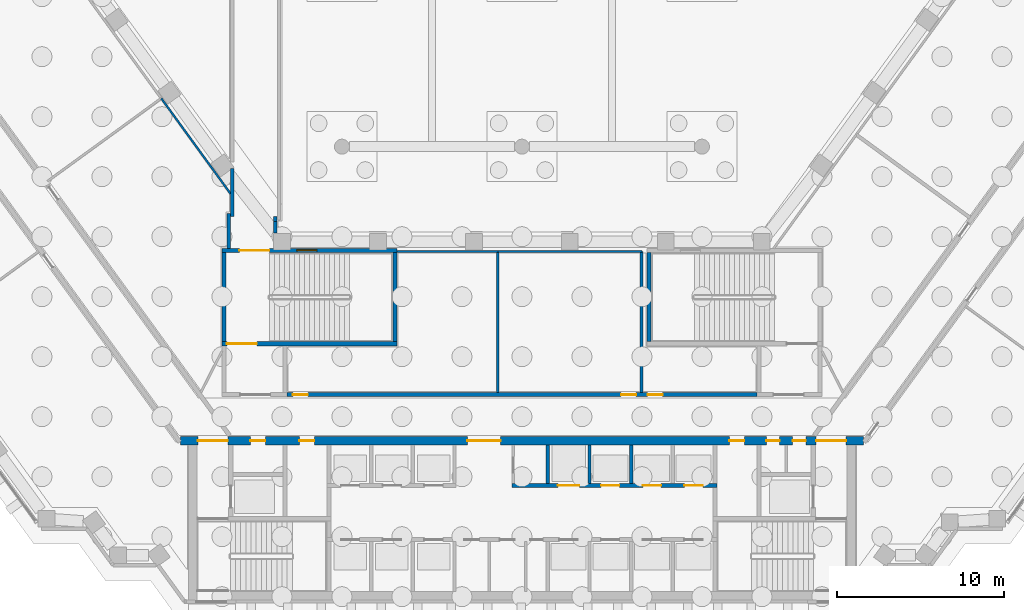
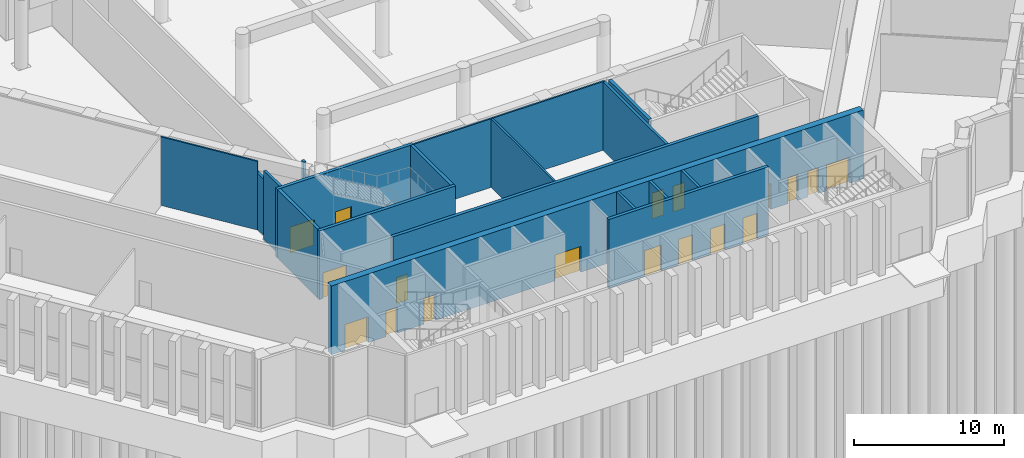
# One storey, part 18 of 32: 20 walls, 17 doors, 1 window, 18 openings.
"""IFC4 building model written with IfcOpenShell, lengths in metres."""

from ifc_helpers import new_model, si_unit, direction, frame, frame_2d, origin, place, context, subcontext, project, spatial, rectangle, extrude, material, layer, layer_set, type_object, element, fill, save


model = new_model("IFC4")

# Units and contexts
model_context = context("Model", 3, precision=1e-05, world=origin(), true_north=direction((0.0, 1.0)))
body_context = subcontext(model_context, "Body", "Model", "MODEL_VIEW")
ifc_project = project(units=[si_unit("LENGTHUNIT", "METRE"), si_unit("AREAUNIT", "SQUARE_METRE"), si_unit("VOLUMEUNIT", "CUBIC_METRE"), si_unit("PLANEANGLEUNIT", "RADIAN"), si_unit("MASSUNIT", "GRAM", prefix="KILO")], contexts=[model_context])

# Site, building, storey
site_placement = place(None, origin())
site = spatial("IfcSite", under=ifc_project, at=site_placement, CompositionType="ELEMENT")
building_placement = place(site_placement, origin())
building = spatial("IfcBuilding", under=site, at=building_placement, Name="Quipu Civic Tower", CompositionType="ELEMENT")
storey_placement = place(building_placement, origin())
storey = spatial("IfcBuildingStorey", under=building, at=storey_placement, Name="L00", CompositionType="ELEMENT", Elevation=0.0)

# Walls
ifc_material_1 = material(Name="Double gypsum plasterboard with mineral wool")
ifc_layer_1 = layer(ifc_material_1, 0.14990234375)
ifc_layer_set_1 = layer_set([ifc_layer_1], Name="Double gypsum plasterboard with mineral wool")
wall_type_1 = type_object("IfcWallType", Name="Acoustic partition 150 plasterboard", PredefinedType="PARTITIONING", material=ifc_layer_set_1)
wall_1_placement = place(storey_placement, frame((-1.458984375, 1.449951171875, 0.0), z_axis=(0.0, 0.0, 1.0), x_axis=(-0.000115570194, 0.999999993322, 0.0)))
element("IfcWall", 1, at=wall_1_placement, inside=storey, type_object=wall_type_1, Name="Partition P10", PredefinedType="PARTITIONING", context=body_context, shape_type="SweptSolid", body=[
    extrude(rectangle(XDim=8.449951171875, YDim=0.14990234375, at=frame_2d((4.22509765625, 0.0))), origin(), (0.0, 0.0, 1.0), 5.60009765625),
])
ifc_material_2 = material(Name="Fired clay blockwork", Category="masonry")
ifc_layer_2 = layer(ifc_material_2, 0.199951171875)
ifc_layer_set_2 = layer_set([ifc_layer_2], Name="Fired clay blockwork")
wall_type_2 = type_object("IfcWallType", Name="Blockwork wall 200", PredefinedType="SOLIDWALL", material=ifc_layer_set_2)
wall_2_placement = place(storey_placement, frame((7.177978515625, 1.449951171875, 0.0), z_axis=(0.0, 0.0, 1.0), x_axis=(0.0, 1.0, 0.0)))
element("IfcWall", 2, at=wall_2_placement, inside=storey, type_object=wall_type_2, Name="Partition P11", PredefinedType="SOLIDWALL", context=body_context, shape_type="SweptSolid", body=[
    extrude(rectangle(XDim=8.449951171875, YDim=0.199951171875, at=frame_2d((4.22509765625, 0.0))), origin(), (0.0, 0.0, 1.0), 5.60009765625),
])

# Wall, openings, doors
ifc_material_3 = material(Name="Concrete C70/85", Category="concrete")
ifc_layer_3 = layer(ifc_material_3, 0.25)
ifc_layer_set_3 = layer_set([ifc_layer_3], Name="Concrete C70/85")
wall_type_3 = type_object("IfcWallType", Name="Core wall 250", PredefinedType="SHEAR", material=ifc_layer_set_3)
wall_3_placement = place(storey_placement, frame((-0.60009765625, -4.125, 0.0), z_axis=(0.0, 0.0, 1.0), x_axis=(1.0, 0.0, 0.0)))
wall_3 = element("IfcWall", 3, at=wall_3_placement, inside=storey, type_object=wall_type_3, Name="Core wall", PredefinedType="SHEAR", context=body_context, shape_type="SweptSolid", body=[
    extrude(rectangle(XDim=12.300048828125, YDim=0.25, at=frame_2d((6.14990234375, 0.0))), origin(), (0.0, 0.0, 1.0), 5.60009765625),
])
opening_1_placement = place(wall_3_placement, frame((2.75, 0.0, 0.0)))
opening_1 = element("IfcOpeningElement", 4, at=opening_1_placement, cuts=wall_3, Name="Opening LD-FF3", PredefinedType="OPENING", context=body_context, shape_type="SweptSolid", body=[
    extrude(rectangle(XDim=1.300048828125, YDim=2.10009765625, at=frame_2d((0.64990234375, 1.050048828125))), frame((0.0, 0.135009765625, 0.0), z_axis=(0.0, -1.0, 0.0), x_axis=(1.0, 0.0, 0.0)), (0.0, 0.0, 1.0), 0.27001953125),
])
opening_2_placement = place(wall_3_placement, frame((5.35009765625, 0.0, 0.0)))
opening_2 = element("IfcOpeningElement", 5, at=opening_2_placement, cuts=wall_3, Name="Opening LD-ML5", PredefinedType="OPENING", context=body_context, shape_type="SweptSolid", body=[
    extrude(rectangle(XDim=1.10009765625, YDim=2.10009765625, at=frame_2d((0.550048828125, 1.050048828125))), frame((0.0, 0.135009765625, 0.0), z_axis=(0.0, -1.0, 0.0), x_axis=(1.0, 0.0, 0.0)), (0.0, 0.0, 1.0), 0.27001953125),
])
opening_3_placement = place(wall_3_placement, frame((7.85009765625, 0.0, 0.0)))
opening_3 = element("IfcOpeningElement", 6, at=opening_3_placement, cuts=wall_3, Name="Opening LD-ML6", PredefinedType="OPENING", context=body_context, shape_type="SweptSolid", body=[
    extrude(rectangle(XDim=1.10009765625, YDim=2.10009765625, at=frame_2d((0.550048828125, 1.050048828125))), frame((0.0, 0.135009765625, 0.0), z_axis=(0.0, -1.0, 0.0), x_axis=(1.0, 0.0, 0.0)), (0.0, 0.0, 1.0), 0.27001953125),
])
opening_4_placement = place(wall_3_placement, frame((10.35009765625, 0.0, 0.0)))
opening_4 = element("IfcOpeningElement", 7, at=opening_4_placement, cuts=wall_3, Name="Opening LD-ML7", PredefinedType="OPENING", context=body_context, shape_type="SweptSolid", body=[
    extrude(rectangle(XDim=1.10009765625, YDim=2.10009765625, at=frame_2d((0.550048828125, 1.050048828125))), frame((0.0, 0.135009765625, 0.0), z_axis=(0.0, -1.0, 0.0), x_axis=(1.0, 0.0, 0.0)), (0.0, 0.0, 1.0), 0.27001953125),
])
ifc_material_4 = material(Name="Stainless steel", Category="steel")
door_type_1 = type_object("IfcDoorType", Name="Lift landing door 1100 x 2100", OperationType="DOUBLE_DOOR_SLIDING", PredefinedType="DOOR", material=ifc_material_4)
door_1_placement = place(opening_2_placement, origin())
door_1 = element("IfcDoor", 8, at=door_1_placement, inside=storey, type_object=door_type_1, Name="Landing door ML5", OperationType="DOUBLE_DOOR_SLIDING", OverallHeight=2.10009765625, OverallWidth=1.10009765625, PredefinedType="DOOR", context=body_context, shape_type="SweptSolid", body=[
    extrude(rectangle(XDim=1.10009765625, YDim=2.10009765625, at=frame_2d((0.550048828125, 1.050048828125))), frame((0.0, 0.02490234375, 0.0), z_axis=(0.0, -1.0, 0.0), x_axis=(1.0, 0.0, 0.0)), (0.0, 0.0, 1.0), 0.050048828125),
])
fill(opening_2, door_1)
door_2_placement = place(opening_3_placement, origin())
door_2 = element("IfcDoor", 9, at=door_2_placement, inside=storey, type_object=door_type_1, Name="Landing door ML6", OperationType="DOUBLE_DOOR_SLIDING", OverallHeight=2.10009765625, OverallWidth=1.10009765625, PredefinedType="DOOR", context=body_context, shape_type="SweptSolid", body=[
    extrude(rectangle(XDim=1.10009765625, YDim=2.10009765625, at=frame_2d((0.550048828125, 1.050048828125))), frame((0.0, 0.02490234375, 0.0), z_axis=(0.0, -1.0, 0.0), x_axis=(1.0, 0.0, 0.0)), (0.0, 0.0, 1.0), 0.050048828125),
])
fill(opening_3, door_2)
door_3_placement = place(opening_4_placement, origin())
door_3 = element("IfcDoor", 10, at=door_3_placement, inside=storey, type_object=door_type_1, Name="Landing door ML7", OperationType="DOUBLE_DOOR_SLIDING", OverallHeight=2.10009765625, OverallWidth=1.10009765625, PredefinedType="DOOR", context=body_context, shape_type="SweptSolid", body=[
    extrude(rectangle(XDim=1.10009765625, YDim=2.10009765625, at=frame_2d((0.550048828125, 1.050048828125))), frame((0.0, 0.02490234375, 0.0), z_axis=(0.0, -1.0, 0.0), x_axis=(1.0, 0.0, 0.0)), (0.0, 0.0, 1.0), 0.050048828125),
])
fill(opening_4, door_3)
ifc_material_5 = material(Name="Stainless steel", Category="steel")
door_type_2 = type_object("IfcDoorType", Name="Lift landing door 1300 x 2100", OperationType="DOUBLE_DOOR_SLIDING", PredefinedType="DOOR", material=ifc_material_5)
door_4_placement = place(opening_1_placement, origin())
door_4 = element("IfcDoor", 11, at=door_4_placement, inside=storey, type_object=door_type_2, Name="Landing door FF3", OperationType="DOUBLE_DOOR_SLIDING", OverallHeight=2.10009765625, OverallWidth=1.300048828125, PredefinedType="DOOR", context=body_context, shape_type="SweptSolid", body=[
    extrude(rectangle(XDim=1.300048828125, YDim=2.10009765625, at=frame_2d((0.64990234375, 1.050048828125))), frame((0.0, 0.02490234375, 0.0), z_axis=(0.0, -1.0, 0.0), x_axis=(1.0, 0.0, 0.0)), (0.0, 0.0, 1.0), 0.050048828125),
])
fill(opening_1, door_4)

# Wall, opening, door
wall_4_placement = place(storey_placement, frame((-18.0, 4.375, 0.0), z_axis=(0.0, 0.0, 1.0), x_axis=(1.0, 0.0, 0.0)))
wall_4 = element("IfcWall", 12, at=wall_4_placement, inside=storey, type_object=wall_type_3, Name="Core wall", PredefinedType="SHEAR", context=body_context, shape_type="SweptSolid", body=[
    extrude(rectangle(XDim=10.5, YDim=0.25, at=frame_2d((5.25, 0.0))), origin(), (0.0, 0.0, 1.0), 5.60009765625),
])
opening_5_placement = place(wall_4_placement, frame((0.300048828125, 0.0, 0.0)))
opening_5 = element("IfcOpeningElement", 13, at=opening_5_placement, cuts=wall_4, Name="Opening CD-16", PredefinedType="OPENING", context=body_context, shape_type="SweptSolid", body=[
    extrude(rectangle(XDim=1.800048828125, YDim=2.10009765625, at=frame_2d((0.89990234375, 1.050048828125))), frame((0.0, 0.135009765625, 0.0), z_axis=(0.0, -1.0, 0.0), x_axis=(1.0, 0.0, 0.0)), (0.0, 0.0, 1.0), 0.27001953125),
])
ifc_material_6 = material(Name="Fire rated steel door", Category="steel")
door_type_3 = type_object("IfcDoorType", Name="Fire door FD90 double 1800 x 2100", OperationType="NOTDEFINED", PredefinedType="DOOR", material=ifc_material_6)
door_5_placement = place(opening_5_placement, origin())
door_5 = element("IfcDoor", 14, at=door_5_placement, inside=storey, type_object=door_type_3, Name="Door", OperationType="DOUBLE_DOOR_SINGLE_SWING", OverallHeight=2.10009765625, OverallWidth=1.800048828125, PredefinedType="DOOR", context=body_context, shape_type="SweptSolid", body=[
    extrude(rectangle(XDim=1.800048828125, YDim=2.10009765625, at=frame_2d((0.89990234375, 1.050048828125))), frame((0.0, 0.02490234375, 0.0), z_axis=(0.0, -1.0, 0.0), x_axis=(1.0, 0.0, 0.0)), (0.0, 0.0, 1.0), 0.050048828125),
])
fill(opening_5, door_5)

# Walls
for number, where, z_axis, x_axis, name in (
    (15, (-17.875, 4.5, 0.0), (0.0, 0.0, 1.0), (0.0, 1.0, 0.0), "Core wall"),
    (16, (-7.625, 4.5, 0.0), (0.0, 0.0, 1.0), (0.0, 1.0, 0.0), "Core wall"),
):
    element("IfcWall", number, at=place(storey_placement, frame(where, z_axis=z_axis, x_axis=x_axis)), inside=storey, type_object=wall_type_3, Name=name, PredefinedType="SHEAR", context=body_context, shape_type="SweptSolid", body=[
        extrude(rectangle(XDim=5.35009765625, YDim=0.25, at=frame_2d((2.675048828125, 0.0))), origin(), (0.0, 0.0, 1.0), 5.60009765625),
    ])

# Wall, openings, door, window
wall_5_placement = place(storey_placement, frame((-18.0, 9.97509765625, 0.0), z_axis=(0.0, 0.0, 1.0), x_axis=(1.0, 0.0, 0.0)))
wall_5 = element("IfcWall", 17, at=wall_5_placement, inside=storey, type_object=wall_type_3, Name="Core wall", PredefinedType="SHEAR", context=body_context, shape_type="SweptSolid", body=[
    extrude(rectangle(XDim=10.5, YDim=0.25, at=frame_2d((5.25, 0.0))), origin(), (0.0, 0.0, 1.0), 5.60009765625),
])
opening_6_placement = place(wall_5_placement, frame((1.050048828125, 0.0, 0.0)))
opening_6 = element("IfcOpeningElement", 18, at=opening_6_placement, cuts=wall_5, Name="Opening CD-17", PredefinedType="OPENING", context=body_context, shape_type="SweptSolid", body=[
    extrude(rectangle(XDim=1.800048828125, YDim=2.10009765625, at=frame_2d((0.89990234375, 1.050048828125))), frame((0.0, 0.135009765625, 0.0), z_axis=(0.0, -1.0, 0.0), x_axis=(1.0, 0.0, 0.0)), (0.0, 0.0, 1.0), 0.27001953125),
])
opening_7_placement = place(wall_5_placement, frame((4.5, 0.0, 1.0)))
opening_7 = element("IfcOpeningElement", 19, at=opening_7_placement, cuts=wall_5, Name="Opening SV-3", PredefinedType="OPENING", context=body_context, shape_type="SweptSolid", body=[
    extrude(rectangle(XDim=1.199951171875, YDim=1.199951171875, at=frame_2d((0.60009765625, 0.60009765625))), frame((0.0, 0.135009765625, 0.0), z_axis=(0.0, -1.0, 0.0), x_axis=(1.0, 0.0, 0.0)), (0.0, 0.0, 1.0), 0.27001953125),
])
door_6_placement = place(opening_6_placement, origin())
door_6 = element("IfcDoor", 20, at=door_6_placement, inside=storey, type_object=door_type_3, Name="Door", OperationType="DOUBLE_DOOR_SINGLE_SWING", OverallHeight=2.10009765625, OverallWidth=1.800048828125, PredefinedType="DOOR", context=body_context, shape_type="SweptSolid", body=[
    extrude(rectangle(XDim=1.800048828125, YDim=2.10009765625, at=frame_2d((0.89990234375, 1.050048828125))), frame((0.0, 0.02490234375, 0.0), z_axis=(0.0, -1.0, 0.0), x_axis=(1.0, 0.0, 0.0)), (0.0, 0.0, 1.0), 0.050048828125),
])
fill(opening_6, door_6)
ifc_material_7 = material(Name="Aluminium louvre", Category="aluminium")
window_type = type_object("IfcWindowType", Name="Stair ventilation louvre 1200 x 1200", PartitioningType="SINGLE_PANEL", PredefinedType="WINDOW", material=ifc_material_7)
window_placement = place(opening_7_placement, origin())
window = element("IfcWindow", 21, at=window_placement, inside=storey, type_object=window_type, Name="Stair ventilation opening", OverallHeight=1.199951171875, OverallWidth=1.199951171875, PartitioningType="SINGLE_PANEL", PredefinedType="WINDOW", context=body_context, shape_type="SweptSolid", body=[
    extrude(rectangle(XDim=1.199951171875, YDim=1.199951171875, at=frame_2d((0.60009765625, 0.60009765625))), frame((0.0, 0.030029296875, 0.0), z_axis=(0.0, -1.0, 0.0), x_axis=(1.0, 0.0, 0.0)), (0.0, 0.0, 1.0), 0.06005859375),
])
fill(opening_7, window)

# Wall
wall_6_placement = place(storey_placement, frame((7.625, 4.5, 0.0), z_axis=(0.0, 0.0, 1.0), x_axis=(0.0, 1.0, 0.0)))
element("IfcWall", 22, at=wall_6_placement, inside=storey, type_object=wall_type_3, Name="Core wall", PredefinedType="SHEAR", context=body_context, shape_type="SweptSolid", body=[
    extrude(rectangle(XDim=5.35009765625, YDim=0.25, at=frame_2d((2.675048828125, 0.0))), origin(), (0.0, 0.0, 1.0), 5.60009765625),
])

# Wall, openings, doors
ifc_material_8 = material(Name="Concrete C70/85", Category="concrete")
ifc_layer_4 = layer(ifc_material_8, 0.5)
ifc_layer_set_4 = layer_set([ifc_layer_4], Name="Concrete C70/85")
wall_type_4 = type_object("IfcWallType", Name="Core wall 500", PredefinedType="SHEAR", material=ifc_layer_set_4)
wall_7_placement = place(storey_placement, frame((20.489990234375, -1.449951171875, 0.0), z_axis=(0.0, 0.0, 1.0), x_axis=(-1.0, 0.0, 0.0)))
wall_7 = element("IfcWall", 23, at=wall_7_placement, inside=storey, type_object=wall_type_4, Name="Core wall", PredefinedType="SHEAR", context=body_context, shape_type="SweptSolid", body=[
    extrude(rectangle(XDim=40.97998046875, YDim=0.5, at=frame_2d((20.489990234375, 0.0))), origin(), (0.0, 0.0, 1.0), 5.60009765625),
])
opening_8_placement = place(wall_7_placement, frame((38.139892578125, 0.0, 0.0)))
opening_8 = element("IfcOpeningElement", 24, at=opening_8_placement, cuts=wall_7, Name="Opening CD-07", PredefinedType="OPENING", context=body_context, shape_type="SweptSolid", body=[
    extrude(rectangle(XDim=1.800048828125, YDim=2.10009765625, at=frame_2d((0.89990234375, 1.050048828125))), frame((0.0, 0.260009765625, 0.0), z_axis=(0.0, -1.0, 0.0), x_axis=(1.0, 0.0, 0.0)), (0.0, 0.0, 1.0), 0.52001953125),
])
opening_9_placement = place(wall_7_placement, frame((35.889892578125, 0.0, 0.0)))
opening_9 = element("IfcOpeningElement", 25, at=opening_9_placement, cuts=wall_7, Name="Opening CD-08", PredefinedType="OPENING", context=body_context, shape_type="SweptSolid", body=[
    extrude(rectangle(XDim=0.89990234375, YDim=2.10009765625, at=frame_2d((0.449951171875, 1.050048828125))), frame((0.0, 0.260009765625, 0.0), z_axis=(0.0, -1.0, 0.0), x_axis=(1.0, 0.0, 0.0)), (0.0, 0.0, 1.0), 0.52001953125),
])
opening_10_placement = place(wall_7_placement, frame((32.93994140625, 0.0, 0.0)))
opening_10 = element("IfcOpeningElement", 26, at=opening_10_placement, cuts=wall_7, Name="Opening CD-09", PredefinedType="OPENING", context=body_context, shape_type="SweptSolid", body=[
    extrude(rectangle(XDim=0.89990234375, YDim=2.10009765625, at=frame_2d((0.449951171875, 1.050048828125))), frame((0.0, 0.260009765625, 0.0), z_axis=(0.0, -1.0, 0.0), x_axis=(1.0, 0.0, 0.0)), (0.0, 0.0, 1.0), 0.52001953125),
])
opening_11_placement = place(wall_7_placement, frame((21.764892578125, 0.0, 0.0)))
opening_11 = element("IfcOpeningElement", 27, at=opening_11_placement, cuts=wall_7, Name="Opening CD-10", PredefinedType="OPENING", context=body_context, shape_type="SweptSolid", body=[
    extrude(rectangle(XDim=2.0, YDim=2.10009765625, at=frame_2d((1.0, 1.050048828125))), frame((0.0, 0.260009765625, 0.0), z_axis=(0.0, -1.0, 0.0), x_axis=(1.0, 0.0, 0.0)), (0.0, 0.0, 1.0), 0.52001953125),
])
opening_12_placement = place(wall_7_placement, frame((7.139892578125, 0.0, 0.0)))
opening_12 = element("IfcOpeningElement", 28, at=opening_12_placement, cuts=wall_7, Name="Opening CD-11", PredefinedType="OPENING", context=body_context, shape_type="SweptSolid", body=[
    extrude(rectangle(XDim=0.89990234375, YDim=2.10009765625, at=frame_2d((0.449951171875, 1.050048828125))), frame((0.0, 0.260009765625, 0.0), z_axis=(0.0, -1.0, 0.0), x_axis=(1.0, 0.0, 0.0)), (0.0, 0.0, 1.0), 0.52001953125),
])
opening_13_placement = place(wall_7_placement, frame((5.027587890625, 0.0, 0.0)))
opening_13 = element("IfcOpeningElement", 29, at=opening_13_placement, cuts=wall_7, Name="Opening CD-12", PredefinedType="OPENING", context=body_context, shape_type="SweptSolid", body=[
    extrude(rectangle(XDim=0.800048828125, YDim=2.10009765625, at=frame_2d((0.39990234375, 1.050048828125))), frame((0.0, 0.260009765625, 0.0), z_axis=(0.0, -1.0, 0.0), x_axis=(1.0, 0.0, 0.0)), (0.0, 0.0, 1.0), 0.52001953125),
])
opening_14_placement = place(wall_7_placement, frame((3.452392578125, 0.0, 0.0)))
opening_14 = element("IfcOpeningElement", 30, at=opening_14_placement, cuts=wall_7, Name="Opening CD-13", PredefinedType="OPENING", context=body_context, shape_type="SweptSolid", body=[
    extrude(rectangle(XDim=0.800048828125, YDim=2.10009765625, at=frame_2d((0.39990234375, 1.050048828125))), frame((0.0, 0.260009765625, 0.0), z_axis=(0.0, -1.0, 0.0), x_axis=(1.0, 0.0, 0.0)), (0.0, 0.0, 1.0), 0.52001953125),
])
opening_15_placement = place(wall_7_placement, frame((1.0400390625, 0.0, 0.0)))
opening_15 = element("IfcOpeningElement", 31, at=opening_15_placement, cuts=wall_7, Name="Opening CD-14", PredefinedType="OPENING", context=body_context, shape_type="SweptSolid", body=[
    extrude(rectangle(XDim=1.800048828125, YDim=2.10009765625, at=frame_2d((0.89990234375, 1.050048828125))), frame((0.0, 0.260009765625, 0.0), z_axis=(0.0, -1.0, 0.0), x_axis=(1.0, 0.0, 0.0)), (0.0, 0.0, 1.0), 0.52001953125),
])
ifc_material_9 = material(Name="Fire rated steel door", Category="steel")
door_type_4 = type_object("IfcDoorType", Name="Fire door FD60 800 x 2100", OperationType="NOTDEFINED", PredefinedType="DOOR", material=ifc_material_9)
door_7_placement = place(opening_13_placement, origin())
door_7 = element("IfcDoor", 32, at=door_7_placement, inside=storey, type_object=door_type_4, Name="Door", OperationType="SINGLE_SWING_LEFT", OverallHeight=2.10009765625, OverallWidth=0.800048828125, PredefinedType="DOOR", context=body_context, shape_type="SweptSolid", body=[
    extrude(rectangle(XDim=0.800048828125, YDim=2.10009765625, at=frame_2d((0.39990234375, 1.050048828125))), frame((0.0, 0.02490234375, 0.0), z_axis=(0.0, -1.0, 0.0), x_axis=(1.0, 0.0, 0.0)), (0.0, 0.0, 1.0), 0.050048828125),
])
fill(opening_13, door_7)
door_8_placement = place(opening_14_placement, origin())
door_8 = element("IfcDoor", 33, at=door_8_placement, inside=storey, type_object=door_type_4, Name="Door", OperationType="SINGLE_SWING_LEFT", OverallHeight=2.10009765625, OverallWidth=0.800048828125, PredefinedType="DOOR", context=body_context, shape_type="SweptSolid", body=[
    extrude(rectangle(XDim=0.800048828125, YDim=2.10009765625, at=frame_2d((0.39990234375, 1.050048828125))), frame((0.0, 0.02490234375, 0.0), z_axis=(0.0, -1.0, 0.0), x_axis=(1.0, 0.0, 0.0)), (0.0, 0.0, 1.0), 0.050048828125),
])
fill(opening_14, door_8)
ifc_material_10 = material(Name="Fire rated steel door", Category="steel")
door_type_5 = type_object("IfcDoorType", Name="Fire door FD60 900 x 2100", OperationType="NOTDEFINED", PredefinedType="DOOR", material=ifc_material_10)
door_9_placement = place(opening_9_placement, origin())
door_9 = element("IfcDoor", 34, at=door_9_placement, inside=storey, type_object=door_type_5, Name="Door", OperationType="SINGLE_SWING_RIGHT", OverallHeight=2.10009765625, OverallWidth=0.89990234375, PredefinedType="DOOR", context=body_context, shape_type="SweptSolid", body=[
    extrude(rectangle(XDim=0.89990234375, YDim=2.10009765625, at=frame_2d((0.449951171875, 1.050048828125))), frame((0.0, 0.02490234375, 0.0), z_axis=(0.0, -1.0, 0.0), x_axis=(1.0, 0.0, 0.0)), (0.0, 0.0, 1.0), 0.050048828125),
])
fill(opening_9, door_9)
door_10_placement = place(opening_10_placement, origin())
door_10 = element("IfcDoor", 35, at=door_10_placement, inside=storey, type_object=door_type_5, Name="Riser door", OperationType="SINGLE_SWING_RIGHT", OverallHeight=2.10009765625, OverallWidth=0.89990234375, PredefinedType="DOOR", context=body_context, shape_type="SweptSolid", body=[
    extrude(rectangle(XDim=0.89990234375, YDim=2.10009765625, at=frame_2d((0.449951171875, 1.050048828125))), frame((0.0, 0.02490234375, 0.0), z_axis=(0.0, -1.0, 0.0), x_axis=(1.0, 0.0, 0.0)), (0.0, 0.0, 1.0), 0.050048828125),
])
fill(opening_10, door_10)
door_11_placement = place(opening_12_placement, origin())
door_11 = element("IfcDoor", 36, at=door_11_placement, inside=storey, type_object=door_type_5, Name="Riser door", OperationType="SINGLE_SWING_LEFT", OverallHeight=2.10009765625, OverallWidth=0.89990234375, PredefinedType="DOOR", context=body_context, shape_type="SweptSolid", body=[
    extrude(rectangle(XDim=0.89990234375, YDim=2.10009765625, at=frame_2d((0.449951171875, 1.050048828125))), frame((0.0, 0.02490234375, 0.0), z_axis=(0.0, -1.0, 0.0), x_axis=(1.0, 0.0, 0.0)), (0.0, 0.0, 1.0), 0.050048828125),
])
fill(opening_12, door_11)
door_12_placement = place(opening_8_placement, origin())
door_12 = element("IfcDoor", 37, at=door_12_placement, inside=storey, type_object=door_type_3, Name="Lobby door", OperationType="DOUBLE_DOOR_SINGLE_SWING", OverallHeight=2.10009765625, OverallWidth=1.800048828125, PredefinedType="DOOR", context=body_context, shape_type="SweptSolid", body=[
    extrude(rectangle(XDim=1.800048828125, YDim=2.10009765625, at=frame_2d((0.89990234375, 1.050048828125))), frame((0.0, 0.02490234375, 0.0), z_axis=(0.0, -1.0, 0.0), x_axis=(1.0, 0.0, 0.0)), (0.0, 0.0, 1.0), 0.050048828125),
])
fill(opening_8, door_12)
door_13_placement = place(opening_15_placement, origin())
door_13 = element("IfcDoor", 38, at=door_13_placement, inside=storey, type_object=door_type_3, Name="Lobby door", OperationType="DOUBLE_DOOR_SINGLE_SWING", OverallHeight=2.10009765625, OverallWidth=1.800048828125, PredefinedType="DOOR", context=body_context, shape_type="SweptSolid", body=[
    extrude(rectangle(XDim=1.800048828125, YDim=2.10009765625, at=frame_2d((0.89990234375, 1.050048828125))), frame((0.0, 0.02490234375, 0.0), z_axis=(0.0, -1.0, 0.0), x_axis=(1.0, 0.0, 0.0)), (0.0, 0.0, 1.0), 0.050048828125),
])
fill(opening_15, door_13)
ifc_material_11 = material(Name="Fire rated steel door", Category="steel")
door_type_6 = type_object("IfcDoorType", Name="Fire door FD90 double 2000 x 2100", OperationType="NOTDEFINED", PredefinedType="DOOR", material=ifc_material_11)
door_14_placement = place(opening_11_placement, origin())
door_14 = element("IfcDoor", 39, at=door_14_placement, inside=storey, type_object=door_type_6, Name="Lobby door", OperationType="DOUBLE_DOOR_SINGLE_SWING", OverallHeight=2.10009765625, OverallWidth=2.0, PredefinedType="DOOR", context=body_context, shape_type="SweptSolid", body=[
    extrude(rectangle(XDim=2.0, YDim=2.10009765625, at=frame_2d((1.0, 1.050048828125))), frame((0.0, 0.02490234375, 0.0), z_axis=(0.0, -1.0, 0.0), x_axis=(1.0, 0.0, 0.0)), (0.0, 0.0, 1.0), 0.050048828125),
])
fill(opening_11, door_14)

ifc_material_12 = material(Name="Concrete C50/60", Category="concrete")
ifc_layer_5 = layer(ifc_material_12, 0.25)
ifc_layer_set_5 = layer_set([ifc_layer_5], Name="Concrete C50/60")
wall_type_5 = type_object("IfcWallType", Name="Corridor wall 250 concrete", PredefinedType="SOLIDWALL", material=ifc_layer_set_5)
wall_8_placement = place(storey_placement, frame((-14.090087890625, 1.324951171875, 0.0), z_axis=(0.0, 0.0, 1.0), x_axis=(1.0, 0.0, 0.0)))
wall_8 = element("IfcWall", 40, at=wall_8_placement, inside=storey, type_object=wall_type_5, Name="Corridor wall C05", PredefinedType="SOLIDWALL", context=body_context, shape_type="SweptSolid", body=[
    extrude(rectangle(XDim=28.18017578125, YDim=0.25, at=frame_2d((14.090087890625, 0.0))), origin(), (0.0, 0.0, 1.0), 5.60009765625),
])
opening_16_placement = place(wall_8_placement, frame((0.340087890625, 0.0, 0.0)))
opening_16 = element("IfcOpeningElement", 41, at=opening_16_placement, cuts=wall_8, Name="Opening D009", PredefinedType="OPENING", context=body_context, shape_type="SweptSolid", body=[
    extrude(rectangle(XDim=0.89990234375, YDim=2.10009765625, at=frame_2d((0.449951171875, 1.050048828125))), frame((0.0, 0.135009765625, 0.0), z_axis=(0.0, -1.0, 0.0), x_axis=(1.0, 0.0, 0.0)), (0.0, 0.0, 1.0), 0.27001953125),
])
opening_17_placement = place(wall_8_placement, frame((20.0380859375, 0.0, 0.0)))
opening_17 = element("IfcOpeningElement", 42, at=opening_17_placement, cuts=wall_8, Name="Opening D010", PredefinedType="OPENING", context=body_context, shape_type="SweptSolid", body=[
    extrude(rectangle(XDim=0.89990234375, YDim=2.10009765625, at=frame_2d((0.449951171875, 1.050048828125))), frame((0.0, 0.135009765625, 0.0), z_axis=(0.0, -1.0, 0.0), x_axis=(1.0, 0.0, 0.0)), (0.0, 0.0, 1.0), 0.27001953125),
])
opening_18_placement = place(wall_8_placement, frame((21.637939453125, 0.0, 0.0)))
opening_18 = element("IfcOpeningElement", 43, at=opening_18_placement, cuts=wall_8, Name="Opening D011", PredefinedType="OPENING", context=body_context, shape_type="SweptSolid", body=[
    extrude(rectangle(XDim=0.89990234375, YDim=2.10009765625, at=frame_2d((0.449951171875, 1.050048828125))), frame((0.0, 0.135009765625, 0.0), z_axis=(0.0, -1.0, 0.0), x_axis=(1.0, 0.0, 0.0)), (0.0, 0.0, 1.0), 0.27001953125),
])
ifc_material_13 = material(Name="Fire rated timber door set with metal frame", Category="wood")
door_type_7 = type_object("IfcDoorType", Name="Single door 900 x 2100 FD60", OperationType="NOTDEFINED", PredefinedType="DOOR", material=ifc_material_13)
door_15_placement = place(opening_16_placement, origin())
door_15 = element("IfcDoor", 44, at=door_15_placement, inside=storey, type_object=door_type_7, Name="Door D009", OperationType="SINGLE_SWING_LEFT", OverallHeight=2.10009765625, OverallWidth=0.89990234375, PredefinedType="DOOR", context=body_context, shape_type="SweptSolid", body=[
    extrude(rectangle(XDim=0.89990234375, YDim=2.10009765625, at=frame_2d((0.449951171875, 1.050048828125))), frame((0.0, 0.02490234375, 0.0), z_axis=(0.0, -1.0, 0.0), x_axis=(1.0, 0.0, 0.0)), (0.0, 0.0, 1.0), 0.050048828125),
])
fill(opening_16, door_15)
door_16_placement = place(opening_17_placement, origin())
door_16 = element("IfcDoor", 45, at=door_16_placement, inside=storey, type_object=door_type_7, Name="Door D010", OperationType="SINGLE_SWING_RIGHT", OverallHeight=2.10009765625, OverallWidth=0.89990234375, PredefinedType="DOOR", context=body_context, shape_type="SweptSolid", body=[
    extrude(rectangle(XDim=0.89990234375, YDim=2.10009765625, at=frame_2d((0.449951171875, 1.050048828125))), frame((0.0, 0.02490234375, 0.0), z_axis=(0.0, -1.0, 0.0), x_axis=(1.0, 0.0, 0.0)), (0.0, 0.0, 1.0), 0.050048828125),
])
fill(opening_17, door_16)
door_17_placement = place(opening_18_placement, origin())
door_17 = element("IfcDoor", 46, at=door_17_placement, inside=storey, type_object=door_type_7, Name="Door D011", OperationType="SINGLE_SWING_LEFT", OverallHeight=2.10009765625, OverallWidth=0.89990234375, PredefinedType="DOOR", context=body_context, shape_type="SweptSolid", body=[
    extrude(rectangle(XDim=0.89990234375, YDim=2.10009765625, at=frame_2d((0.449951171875, 1.050048828125))), frame((0.0, 0.02490234375, 0.0), z_axis=(0.0, -1.0, 0.0), x_axis=(1.0, 0.0, 0.0)), (0.0, 0.0, 1.0), 0.050048828125),
])
fill(opening_18, door_17)

# Walls
ifc_material_14 = material(Name="Concrete C40/50", Category="concrete")
ifc_layer_6 = layer(ifc_material_14, 0.199951171875)
ifc_layer_set_6 = layer_set([ifc_layer_6], Name="Concrete C40/50")
wall_type_6 = type_object("IfcWallType", Name="Exit passage wall 200", PredefinedType="SOLIDWALL", material=ifc_layer_set_6)
wall_9_placement = place(storey_placement, frame((-17.60009765625, 10.10009765625, 0.0), z_axis=(0.0, 0.0, 1.0), x_axis=(0.0, 1.0, 0.0)))
element("IfcWall", 47, at=wall_9_placement, inside=storey, type_object=wall_type_6, Name="Exit passage 3 wall", PredefinedType="SOLIDWALL", context=body_context, shape_type="SweptSolid", body=[
    extrude(rectangle(XDim=2.099853515625, YDim=0.199951171875, at=frame_2d((1.0498046875, 0.0))), origin(), (0.0, 0.0, 1.0), 5.60009765625),
])
wall_10_placement = place(storey_placement, frame((-14.800048828125, 11.02001953125, 0.0), z_axis=(0.0, 0.0, 1.0), x_axis=(0.0, 1.0, 0.0)))
element("IfcWall", 48, at=wall_10_placement, inside=storey, type_object=wall_type_6, Name="Exit passage 3 wall", PredefinedType="SOLIDWALL", context=body_context, shape_type="SweptSolid", body=[
    extrude(rectangle(XDim=0.693359375, YDim=0.199951171875, at=frame_2d((0.3466796875, 0.0))), origin(), (0.0, 0.0, 1.0), 4.60009765625),
])
wall_11_placement = place(storey_placement, frame((-14.800048828125, 11.71337890625, 0.0), z_axis=(0.0, 0.0, 1.0), x_axis=(0.0, 1.0, 0.0)))
element("IfcWall", 49, at=wall_11_placement, inside=storey, type_object=wall_type_6, Name="Exit passage 3 wall", PredefinedType="SOLIDWALL", context=body_context, shape_type="SweptSolid", body=[
    extrude(rectangle(XDim=0.28662109375, YDim=0.199951171875, at=frame_2d((0.143310546875, 0.0))), origin(), (0.0, 0.0, 1.0), 5.60009765625),
])
wall_12_placement = place(storey_placement, frame((-17.3798828125, 12.0, 0.0), z_axis=(0.0, 0.0, 1.0), x_axis=(0.0, 1.0, 0.0)))
element("IfcWall", 50, at=wall_12_placement, inside=storey, type_object=wall_type_6, Name="Exit passage 3 wall", PredefinedType="SOLIDWALL", context=body_context, shape_type="SweptSolid", body=[
    extrude(rectangle(XDim=2.896484375, YDim=0.199951171875, at=frame_2d((1.4482421875, 0.0))), origin(), (0.0, 0.0, 1.0), 4.60009765625),
])
ifc_material_15 = material(Name="Gypsum plasterboard on light gauge framing")
ifc_layer_7 = layer(ifc_material_15, 0.1201171875)
ifc_layer_set_7 = layer_set([ifc_layer_7], Name="Gypsum plasterboard on light gauge framing")
wall_type_7 = type_object("IfcWallType", Name="Partition 120 plasterboard", PredefinedType="PARTITIONING", material=ifc_layer_set_7)
wall_13_placement = place(storey_placement, frame((-1.43994140625, 9.89990234375, 0.0), z_axis=(0.0, 0.0, 1.0), x_axis=(-1.0, 0.0, 0.0)))
element("IfcWall", 51, at=wall_13_placement, inside=storey, type_object=wall_type_7, Name="Partition P36", PredefinedType="PARTITIONING", context=body_context, shape_type="SweptSolid", body=[
    extrude(rectangle(XDim=6.06005859375, YDim=0.1201171875, at=frame_2d((3.030029296875, 0.0))), origin(), (0.0, 0.0, 1.0), 5.60009765625),
])
wall_14_placement = place(storey_placement, frame((-17.47998046875, 13.3740234375, 0.0), z_axis=(0.0, 0.0, 1.0), x_axis=(-0.58772993032, 0.809057185251, 0.0)))
element("IfcWall", 52, at=wall_14_placement, inside=storey, type_object=wall_type_7, Name="Partition P37", PredefinedType="PARTITIONING", context=body_context, shape_type="SweptSolid", body=[
    extrude(rectangle(XDim=7.06640625, YDim=0.1201171875, at=frame_2d((3.533203125, 0.0))), origin(), (0.0, 0.0, 1.0), 5.60009765625),
])
wall_15_placement = place(storey_placement, frame((7.197998046875, 9.89990234375, 0.0), z_axis=(0.0, 0.0, 1.0), x_axis=(-1.0, 0.0, 0.0)))
element("IfcWall", 53, at=wall_15_placement, inside=storey, type_object=wall_type_7, Name="Partition P38", PredefinedType="PARTITIONING", context=body_context, shape_type="SweptSolid", body=[
    extrude(rectangle(XDim=8.637939453125, YDim=0.1201171875, at=frame_2d((4.31884765625, 0.0))), origin(), (0.0, 0.0, 1.0), 5.60009765625),
])
ifc_material_16 = material(Name="Concrete C40/50", Category="concrete")
ifc_layer_8 = layer(ifc_material_16, 0.199951171875)
ifc_layer_set_8 = layer_set([ifc_layer_8], Name="Concrete C40/50")
wall_type_8 = type_object("IfcWallType", Name="Shaft wall 200", PredefinedType="SOLIDWALL", material=ifc_layer_set_8)
for number, where, z_axis, x_axis, name in (
    (54, (1.550048828125, -4.0, 0.0), (0.0, 0.0, 1.0), (0.0, 1.0, 0.0), "Shaft wall"),
    (55, (4.050048828125, -4.0, 0.0), (0.0, 0.0, 1.0), (0.0, 1.0, 0.0), "Shaft wall"),
    (56, (6.550048828125, -4.0, 0.0), (0.0, 0.0, 1.0), (0.0, 1.0, 0.0), "Shaft wall"),
):
    element("IfcWall", number, at=place(storey_placement, frame(where, z_axis=z_axis, x_axis=x_axis)), inside=storey, type_object=wall_type_8, Name=name, PredefinedType="SOLIDWALL", context=body_context, shape_type="SweptSolid", body=[
        extrude(rectangle(XDim=2.300048828125, YDim=0.199951171875, at=frame_2d((1.14990234375, 0.0))), origin(), (0.0, 0.0, 1.0), 5.60009765625),
    ])

save(model, "model.ifc")
